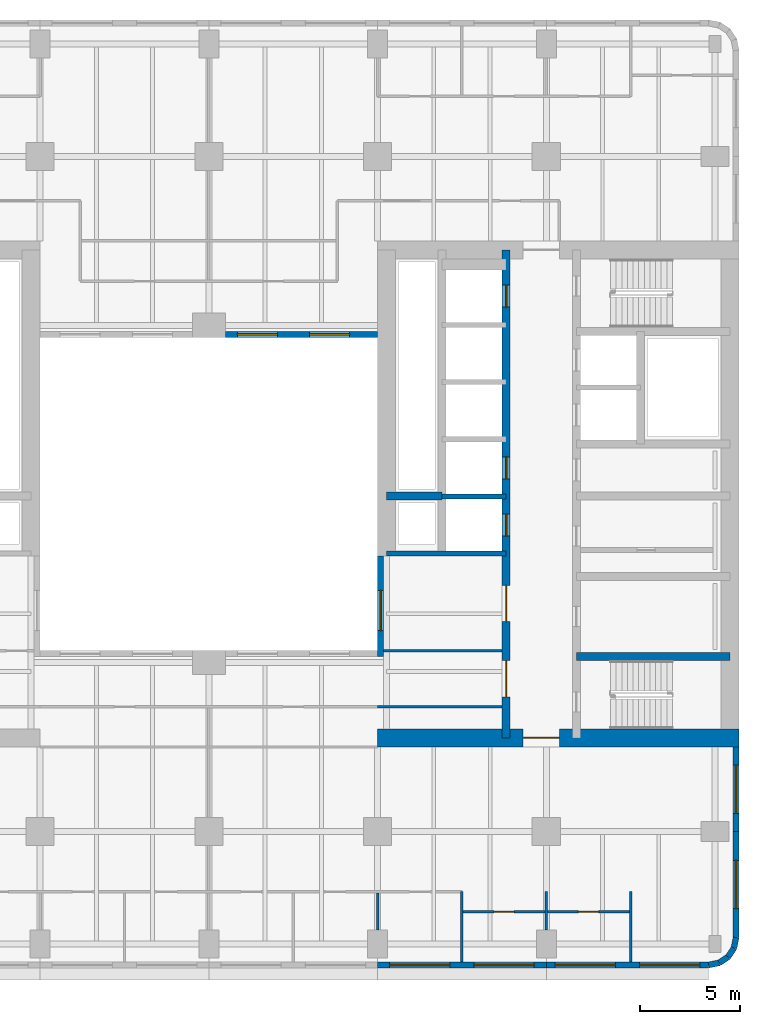
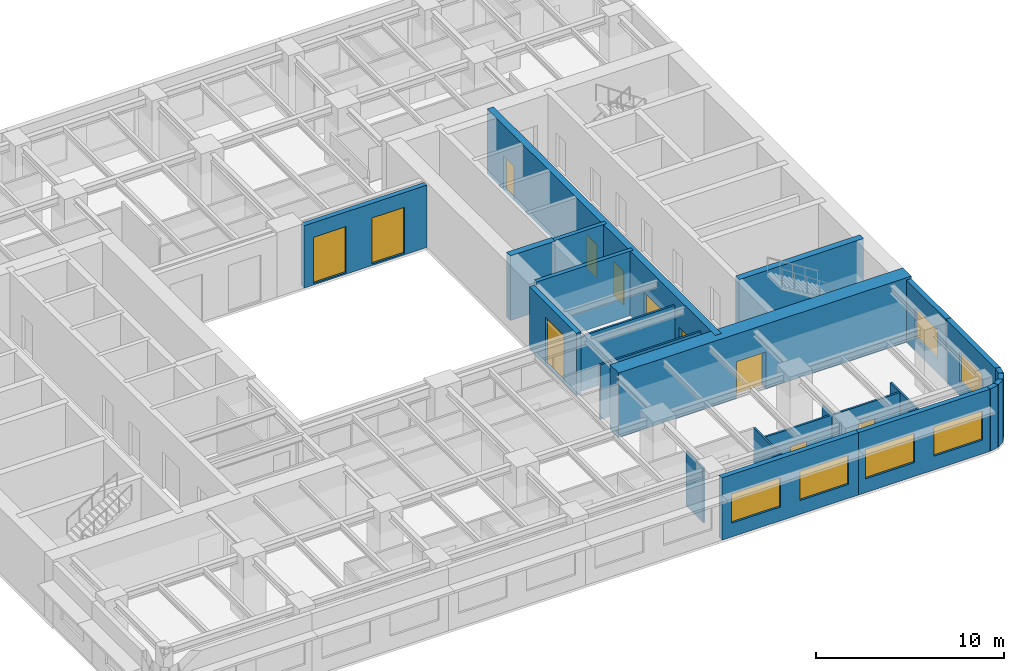
# One storey, part 5 of 11: 24 walls, 9 windows, 8 doors, 17 openings.
"""IFC4 building model written with IfcOpenShell, lengths in metres."""

from ifc_helpers import new_model, si_unit, direction, frame, frame_2d, origin, place, context, subcontext, project, spatial, rectangle, extrude, material, layer, layer_set, type_object, element, fill, save


model = new_model("IFC4")

# Units and contexts
model_context = context("Model", 3, precision=1e-05, world=origin(), true_north=direction((0.0, 1.0)))
body_context = subcontext(model_context, "Body", "Model", "MODEL_VIEW")
ifc_project = project(units=[si_unit("LENGTHUNIT", "METRE"), si_unit("AREAUNIT", "SQUARE_METRE"), si_unit("VOLUMEUNIT", "CUBIC_METRE"), si_unit("PLANEANGLEUNIT", "RADIAN"), si_unit("MASSUNIT", "GRAM", prefix="KILO")], contexts=[model_context])

# Site, building, storey
site_placement = place(None, origin())
site = spatial("IfcSite", under=ifc_project, at=site_placement, CompositionType="ELEMENT")
building_placement = place(site_placement, origin())
building = spatial("IfcBuilding", under=site, at=building_placement, Name="Claustro Exchange Tower", CompositionType="ELEMENT")
storey_placement = place(building_placement, frame((0.0, 0.0, 134.39990234375)))
storey = spatial("IfcBuildingStorey", under=building, at=storey_placement, Name="L30", CompositionType="ELEMENT", Elevation=134.39990234375)

# Wall
ifc_material_1 = material(Name="Laminated glass in aluminium frame", Category="aluminium")
ifc_layer_1 = layer(ifc_material_1, 0.1201171875)
ifc_layer_set_1 = layer_set([ifc_layer_1], Name="Laminated glass in aluminium frame")
wall_type_1 = type_object("IfcWallType", Name="P2 120 glazed partition", PredefinedType="PARTITIONING", material=ifc_layer_set_1)
wall_1_placement = place(storey_placement, frame((33.89794921875, 17.39990234375, 0.0), z_axis=(0.0, 0.0, 1.0), x_axis=(1.0, 0.0, 0.0)))
element("IfcWall", 1, at=wall_1_placement, inside=storey, type_object=wall_type_1, Name="Partition P2 L30", PredefinedType="PARTITIONING", context=body_context, shape_type="SweptSolid", body=[
    extrude(rectangle(XDim=5.904052734375, YDim=0.1201171875, at=frame_2d((2.9521484375, 0.0))), origin(), (0.0, 0.0, 1.0), 3.550048828125),
])

# Wall, opening, door
wall_2_placement = place(storey_placement, frame((37.85791015625, 4.39990234375, 0.0), z_axis=(0.0, 0.0, 1.0), x_axis=(1.0, 0.0, 0.0)))
wall_2 = element("IfcWall", 2, at=wall_2_placement, inside=storey, type_object=wall_type_1, Name="Partition P2 L30", PredefinedType="PARTITIONING", context=body_context, shape_type="SweptSolid", body=[
    extrude(rectangle(XDim=4.083984375, YDim=0.1201171875, at=frame_2d((2.0419921875, 0.0))), origin(), (0.0, 0.0, 1.0), 3.550048828125),
])
opening_1_placement = place(wall_2_placement, frame((1.5419921875, 0.0, 0.0)))
opening_1 = element("IfcOpeningElement", 3, at=opening_1_placement, cuts=wall_2, Name="Opening D7", PredefinedType="OPENING", context=body_context, shape_type="SweptSolid", body=[
    extrude(rectangle(XDim=1.0, YDim=2.39990234375, at=frame_2d((0.5, 1.199951171875))), frame((0.0, 0.070068359375, 0.0), z_axis=(0.0, -1.0, 0.0), x_axis=(1.0, 0.0, 0.0)), (0.0, 0.0, 1.0), 0.14013671875),
])
ifc_material_2 = material(Name="Glass door in aluminium frame", Category="aluminium")
door_type_1 = type_object("IfcDoorType", Name="D7 1000 x 2400 glazed door", OperationType="SINGLE_SWING_LEFT", PredefinedType="DOOR", material=ifc_material_2)
door_1_placement = place(opening_1_placement, frame((1.0, 0.0, 0.0), z_axis=(0.0, 0.0, 1.0), x_axis=(-1.0, 0.0, 0.0)))
door_1 = element("IfcDoor", 4, at=door_1_placement, inside=storey, type_object=door_type_1, Name="Door D7 L30", OperationType="SINGLE_SWING_RIGHT", OverallHeight=2.39990234375, OverallWidth=1.0, PredefinedType="DOOR", context=body_context, shape_type="SweptSolid", body=[
    extrude(rectangle(XDim=1.0, YDim=2.39990234375, at=frame_2d((0.5, 1.199951171875))), frame((0.0, 0.02490234375, 0.0), z_axis=(0.0, -1.0, 0.0), x_axis=(1.0, 0.0, 0.0)), (0.0, 0.0, 1.0), 0.050048828125),
])
fill(opening_1, door_1)

wall_3_placement = place(storey_placement, frame((42.05810546875, 4.39990234375, 0.0), z_axis=(0.0, 0.0, 1.0), x_axis=(1.0, 0.0, 0.0)))
wall_3 = element("IfcWall", 5, at=wall_3_placement, inside=storey, type_object=wall_type_1, Name="Partition P2 L30", PredefinedType="PARTITIONING", context=body_context, shape_type="SweptSolid", body=[
    extrude(rectangle(XDim=4.083984375, YDim=0.1201171875, at=frame_2d((2.0419921875, 0.0))), origin(), (0.0, 0.0, 1.0), 3.550048828125),
])
opening_2_placement = place(wall_3_placement, frame((1.5419921875, 0.0, 0.0)))
opening_2 = element("IfcOpeningElement", 6, at=opening_2_placement, cuts=wall_3, Name="Opening D7", PredefinedType="OPENING", context=body_context, shape_type="SweptSolid", body=[
    extrude(rectangle(XDim=1.0, YDim=2.39990234375, at=frame_2d((0.5, 1.199951171875))), frame((0.0, 0.070068359375, 0.0), z_axis=(0.0, -1.0, 0.0), x_axis=(1.0, 0.0, 0.0)), (0.0, 0.0, 1.0), 0.14013671875),
])
door_2_placement = place(opening_2_placement, frame((1.0, 0.0, 0.0), z_axis=(0.0, 0.0, 1.0), x_axis=(-1.0, 0.0, 0.0)))
door_2 = element("IfcDoor", 7, at=door_2_placement, inside=storey, type_object=door_type_1, Name="Door D7 L30", OperationType="SINGLE_SWING_RIGHT", OverallHeight=2.39990234375, OverallWidth=1.0, PredefinedType="DOOR", context=body_context, shape_type="SweptSolid", body=[
    extrude(rectangle(XDim=1.0, YDim=2.39990234375, at=frame_2d((0.5, 1.199951171875))), frame((0.0, 0.02490234375, 0.0), z_axis=(0.0, -1.0, 0.0), x_axis=(1.0, 0.0, 0.0)), (0.0, 0.0, 1.0), 0.050048828125),
])
fill(opening_2, door_2)

# Walls
wall_4_placement = place(storey_placement, frame((33.60009765625, 3.4990234375, 0.0), z_axis=(0.0, 0.0, 1.0), x_axis=(0.0, 1.0, 0.0)))
element("IfcWall", 8, at=wall_4_placement, inside=storey, type_object=wall_type_1, Name="Partition P2 L30", PredefinedType="PARTITIONING", context=body_context, shape_type="SweptSolid", body=[
    extrude(rectangle(XDim=1.843017578125, YDim=0.1201171875, at=frame_2d((0.92138671875, 0.0))), origin(), (0.0, 0.0, 1.0), 3.550048828125),
])
wall_5_placement = place(storey_placement, frame((37.800048828125, 1.89794921875, 0.0), z_axis=(0.0, 0.0, 1.0), x_axis=(0.0, 1.0, 0.0)))
element("IfcWall", 9, at=wall_5_placement, inside=storey, type_object=wall_type_1, Name="Partition P2 L30", PredefinedType="PARTITIONING", context=body_context, shape_type="SweptSolid", body=[
    extrude(rectangle(XDim=3.501953125, YDim=0.1201171875, at=frame_2d((1.7509765625, 0.0))), origin(), (0.0, 0.0, 1.0), 3.56005859375),
])
wall_6_placement = place(storey_placement, frame((42.0, 3.4990234375, 0.0), z_axis=(0.0, 0.0, 1.0), x_axis=(0.0, 1.0, 0.0)))
element("IfcWall", 10, at=wall_6_placement, inside=storey, type_object=wall_type_1, Name="Partition P2 L30", PredefinedType="PARTITIONING", context=body_context, shape_type="SweptSolid", body=[
    extrude(rectangle(XDim=1.90087890625, YDim=0.1201171875, at=frame_2d((0.950439453125, 0.0))), origin(), (0.0, 0.0, 1.0), 3.550048828125),
])
wall_7_placement = place(storey_placement, frame((46.199951171875, 1.89794921875, 0.0), z_axis=(0.0, 0.0, 1.0), x_axis=(0.0, 1.0, 0.0)))
element("IfcWall", 11, at=wall_7_placement, inside=storey, type_object=wall_type_1, Name="Partition P2 L30", PredefinedType="PARTITIONING", context=body_context, shape_type="SweptSolid", body=[
    extrude(rectangle(XDim=3.501953125, YDim=0.1201171875, at=frame_2d((1.7509765625, 0.0))), origin(), (0.0, 0.0, 1.0), 3.56005859375),
])
wall_8_placement = place(storey_placement, frame((33.597900390625, 14.60009765625, 0.0), z_axis=(0.0, 0.0, 1.0), x_axis=(1.0, 0.0, 0.0)))
element("IfcWall", 12, at=wall_8_placement, inside=storey, type_object=wall_type_1, Name="Partition P2 L30", PredefinedType="PARTITIONING", context=body_context, shape_type="SweptSolid", body=[
    extrude(rectangle(XDim=6.2041015625, YDim=0.1201171875, at=frame_2d((3.10205078125, 0.0))), origin(), (0.0, 0.0, 1.0), 3.550048828125),
])

# Wall, openings, windows
ifc_material_3 = material(Name="Concrete HA-40 (C40/50), precast, white cement, acid-etched", Category="concrete")
ifc_layer_2 = layer(ifc_material_3, 0.300048828125)
ifc_layer_set_2 = layer_set([ifc_layer_2], Name="Concrete HA-40 (C40/50), precast, white cement, acid-etched")
wall_type_2 = type_object("IfcWallType", Name="PC1 300 precast concrete pier panel", PredefinedType="SOLIDWALL", material=ifc_layer_set_2)
wall_9_placement = place(storey_placement, frame((50.085205078125, 1.75, 0.0), z_axis=(0.0, 0.0, 1.0), x_axis=(-1.0, 0.0, 0.0)))
wall_9 = element("IfcWall", 13, at=wall_9_placement, inside=storey, type_object=wall_type_2, Name="Precast pier panel PC1 L30", PredefinedType="SOLIDWALL", context=body_context, shape_type="SweptSolid", body=[
    extrude(rectangle(XDim=8.085205078125, YDim=0.300048828125, at=frame_2d((4.04248046875, 0.0))), origin(), (0.0, 0.0, 1.0), 4.050048828125),
])
opening_3_placement = place(wall_9_placement, frame((0.442626953125, 0.0, 0.89990234375)))
opening_3 = element("IfcOpeningElement", 14, at=opening_3_placement, cuts=wall_9, Name="Opening W1", PredefinedType="OPENING", context=body_context, shape_type="SweptSolid", body=[
    extrude(rectangle(XDim=3.0, YDim=1.89990234375, at=frame_2d((1.5, 0.949951171875))), frame((0.0, 0.159912109375, 0.0), z_axis=(0.0, -1.0, 0.0), x_axis=(1.0, 0.0, 0.0)), (0.0, 0.0, 1.0), 0.320068359375),
])
opening_4_placement = place(wall_9_placement, frame((4.642578125, 0.0, 0.89990234375)))
opening_4 = element("IfcOpeningElement", 15, at=opening_4_placement, cuts=wall_9, Name="Opening W1", PredefinedType="OPENING", context=body_context, shape_type="SweptSolid", body=[
    extrude(rectangle(XDim=3.0, YDim=1.89990234375, at=frame_2d((1.5, 0.949951171875))), frame((0.0, 0.159912109375, 0.0), z_axis=(0.0, -1.0, 0.0), x_axis=(1.0, 0.0, 0.0)), (0.0, 0.0, 1.0), 0.320068359375),
])
ifc_material_4 = material(Name="Aluminium frame, clear double glazing", Category="aluminium")
window_type_1 = type_object("IfcWindowType", Name="W1 3000 x 1900 window", PartitioningType="SINGLE_PANEL", PredefinedType="WINDOW", material=ifc_material_4)
window_1_placement = place(opening_3_placement, origin())
window_1 = element("IfcWindow", 16, at=window_1_placement, inside=storey, type_object=window_type_1, Name="Window W1 L30", OverallHeight=1.89990234375, OverallWidth=3.0, PartitioningType="SINGLE_PANEL", PredefinedType="WINDOW", context=body_context, shape_type="SweptSolid", body=[
    extrude(rectangle(XDim=3.0, YDim=1.89990234375, at=frame_2d((1.5, 0.949951171875))), frame((0.0, 0.030029296875, 0.0), z_axis=(0.0, -1.0, 0.0), x_axis=(1.0, 0.0, 0.0)), (0.0, 0.0, 1.0), 0.06005859375),
])
fill(opening_3, window_1)
window_2_placement = place(opening_4_placement, origin())
window_2 = element("IfcWindow", 17, at=window_2_placement, inside=storey, type_object=window_type_1, Name="Window W1 L30", OverallHeight=1.89990234375, OverallWidth=3.0, PartitioningType="SINGLE_PANEL", PredefinedType="WINDOW", context=body_context, shape_type="SweptSolid", body=[
    extrude(rectangle(XDim=3.0, YDim=1.89990234375, at=frame_2d((1.5, 0.949951171875))), frame((0.0, 0.030029296875, 0.0), z_axis=(0.0, -1.0, 0.0), x_axis=(1.0, 0.0, 0.0)), (0.0, 0.0, 1.0), 0.06005859375),
])
fill(opening_4, window_2)

wall_10_placement = place(storey_placement, frame((42.0, 1.75, 0.0), z_axis=(0.0, 0.0, 1.0), x_axis=(-1.0, 0.0, 0.0)))
wall_10 = element("IfcWall", 18, at=wall_10_placement, inside=storey, type_object=wall_type_2, Name="Precast pier panel PC1 L30", PredefinedType="SOLIDWALL", context=body_context, shape_type="SweptSolid", body=[
    extrude(rectangle(XDim=8.39990234375, YDim=0.300048828125, at=frame_2d((4.199951171875, 0.0))), origin(), (0.0, 0.0, 1.0), 4.050048828125),
])
opening_5_placement = place(wall_10_placement, frame((0.60009765625, 0.0, 0.89990234375)))
opening_5 = element("IfcOpeningElement", 19, at=opening_5_placement, cuts=wall_10, Name="Opening W1", PredefinedType="OPENING", context=body_context, shape_type="SweptSolid", body=[
    extrude(rectangle(XDim=3.0, YDim=1.89990234375, at=frame_2d((1.5, 0.949951171875))), frame((0.0, 0.159912109375, 0.0), z_axis=(0.0, -1.0, 0.0), x_axis=(1.0, 0.0, 0.0)), (0.0, 0.0, 1.0), 0.320068359375),
])
opening_6_placement = place(wall_10_placement, frame((4.800048828125, 0.0, 0.89990234375)))
opening_6 = element("IfcOpeningElement", 20, at=opening_6_placement, cuts=wall_10, Name="Opening W1", PredefinedType="OPENING", context=body_context, shape_type="SweptSolid", body=[
    extrude(rectangle(XDim=3.0, YDim=1.89990234375, at=frame_2d((1.5, 0.949951171875))), frame((0.0, 0.159912109375, 0.0), z_axis=(0.0, -1.0, 0.0), x_axis=(1.0, 0.0, 0.0)), (0.0, 0.0, 1.0), 0.320068359375),
])
window_3_placement = place(opening_5_placement, origin())
window_3 = element("IfcWindow", 21, at=window_3_placement, inside=storey, type_object=window_type_1, Name="Window W1 L30", OverallHeight=1.89990234375, OverallWidth=3.0, PartitioningType="SINGLE_PANEL", PredefinedType="WINDOW", context=body_context, shape_type="SweptSolid", body=[
    extrude(rectangle(XDim=3.0, YDim=1.89990234375, at=frame_2d((1.5, 0.949951171875))), frame((0.0, 0.030029296875, 0.0), z_axis=(0.0, -1.0, 0.0), x_axis=(1.0, 0.0, 0.0)), (0.0, 0.0, 1.0), 0.06005859375),
])
fill(opening_5, window_3)
window_4_placement = place(opening_6_placement, origin())
window_4 = element("IfcWindow", 22, at=window_4_placement, inside=storey, type_object=window_type_1, Name="Window W1 L30", OverallHeight=1.89990234375, OverallWidth=3.0, PartitioningType="SINGLE_PANEL", PredefinedType="WINDOW", context=body_context, shape_type="SweptSolid", body=[
    extrude(rectangle(XDim=3.0, YDim=1.89990234375, at=frame_2d((1.5, 0.949951171875))), frame((0.0, 0.030029296875, 0.0), z_axis=(0.0, -1.0, 0.0), x_axis=(1.0, 0.0, 0.0)), (0.0, 0.0, 1.0), 0.06005859375),
])
fill(opening_6, window_4)

# Wall, opening, window
wall_11_placement = place(storey_placement, frame((51.449951171875, 12.60009765625, 0.0), z_axis=(0.0, 0.0, 1.0), x_axis=(0.0, -1.0, 0.0)))
wall_11 = element("IfcWall", 23, at=wall_11_placement, inside=storey, type_object=wall_type_2, Name="Precast pier panel PC1 L30", PredefinedType="SOLIDWALL", context=body_context, shape_type="SweptSolid", body=[
    extrude(rectangle(XDim=4.2001953125, YDim=0.300048828125, at=frame_2d((2.10009765625, 0.0))), origin(), (0.0, 0.0, 1.0), 4.050048828125),
])
opening_7_placement = place(wall_11_placement, frame((0.89990234375, 0.0, 0.89990234375)))
opening_7 = element("IfcOpeningElement", 24, at=opening_7_placement, cuts=wall_11, Name="Opening W2", PredefinedType="OPENING", context=body_context, shape_type="SweptSolid", body=[
    extrude(rectangle(XDim=2.39990234375, YDim=1.89990234375, at=frame_2d((1.199951171875, 0.949951171875))), frame((0.0, 0.159912109375, 0.0), z_axis=(0.0, -1.0, 0.0), x_axis=(1.0, 0.0, 0.0)), (0.0, 0.0, 1.0), 0.320068359375),
])
ifc_material_5 = material(Name="Aluminium frame, clear double glazing", Category="aluminium")
window_type_2 = type_object("IfcWindowType", Name="W2 2400 x 1900 window", PartitioningType="SINGLE_PANEL", PredefinedType="WINDOW", material=ifc_material_5)
window_5_placement = place(opening_7_placement, origin())
window_5 = element("IfcWindow", 25, at=window_5_placement, inside=storey, type_object=window_type_2, Name="Window W2 L30", OverallHeight=1.89990234375, OverallWidth=2.39990234375, PartitioningType="SINGLE_PANEL", PredefinedType="WINDOW", context=body_context, shape_type="SweptSolid", body=[
    extrude(rectangle(XDim=2.39990234375, YDim=1.89990234375, at=frame_2d((1.199951171875, 0.949951171875))), frame((0.0, 0.030029296875, 0.0), z_axis=(0.0, -1.0, 0.0), x_axis=(1.0, 0.0, 0.0)), (0.0, 0.0, 1.0), 0.06005859375),
])
fill(opening_7, window_5)

wall_12_placement = place(storey_placement, frame((51.449951171875, 8.39990234375, 0.0), z_axis=(0.0, 0.0, 1.0), x_axis=(0.0, -1.0, 0.0)))
wall_12 = element("IfcWall", 26, at=wall_12_placement, inside=storey, type_object=wall_type_2, Name="Precast pier panel PC1 L30", PredefinedType="SOLIDWALL", context=body_context, shape_type="SweptSolid", body=[
    extrude(rectangle(XDim=5.28515625, YDim=0.300048828125, at=frame_2d((2.642578125, 0.0))), origin(), (0.0, 0.0, 1.0), 4.050048828125),
])
opening_8_placement = place(wall_12_placement, frame((1.442626953125, 0.0, 0.89990234375)))
opening_8 = element("IfcOpeningElement", 27, at=opening_8_placement, cuts=wall_12, Name="Opening W2", PredefinedType="OPENING", context=body_context, shape_type="SweptSolid", body=[
    extrude(rectangle(XDim=2.39990234375, YDim=1.89990234375, at=frame_2d((1.199951171875, 0.949951171875))), frame((0.0, 0.159912109375, 0.0), z_axis=(0.0, -1.0, 0.0), x_axis=(1.0, 0.0, 0.0)), (0.0, 0.0, 1.0), 0.320068359375),
])
window_6_placement = place(opening_8_placement, origin())
window_6 = element("IfcWindow", 28, at=window_6_placement, inside=storey, type_object=window_type_2, Name="Window W2 L30", OverallHeight=1.89990234375, OverallWidth=2.39990234375, PartitioningType="SINGLE_PANEL", PredefinedType="WINDOW", context=body_context, shape_type="SweptSolid", body=[
    extrude(rectangle(XDim=2.39990234375, YDim=1.89990234375, at=frame_2d((1.199951171875, 0.949951171875))), frame((0.0, 0.030029296875, 0.0), z_axis=(0.0, -1.0, 0.0), x_axis=(1.0, 0.0, 0.0)), (0.0, 0.0, 1.0), 0.06005859375),
])
fill(opening_8, window_6)

# Walls
wall_13_placement = place(storey_placement, frame((51.449951171875, 3.11474609375, 0.0), z_axis=(0.0, 0.0, 1.0), x_axis=(-0.195073962632, -0.980788534345, 0.0)))
element("IfcWall", 29, at=wall_13_placement, inside=storey, type_object=wall_type_2, Name="Precast pier panel PC1 L30", PredefinedType="SOLIDWALL", context=body_context, shape_type="SweptSolid", body=[
    extrude(rectangle(XDim=0.540771484375, YDim=0.300048828125, at=frame_2d((0.2705078125, 0.0))), origin(), (0.0, 0.0, 1.0), 4.050048828125),
])
for number, where, z_axis, x_axis, name in (
    (30, (51.344482421875, 2.58447265625, 0.0), (0.0, 0.0, 1.0), (-0.555557463938, -0.831478144188, 0.0), "Precast pier panel PC1 L30"),
    (31, (51.052490234375, 2.1474609375, 0.0), (0.0, 0.0, 1.0), (-0.831478144188, -0.555557463938, 0.0), "Precast pier panel PC1 L30"),
):
    element("IfcWall", number, at=place(storey_placement, frame(where, z_axis=z_axis, x_axis=x_axis)), inside=storey, type_object=wall_type_2, Name=name, PredefinedType="SOLIDWALL", context=body_context, shape_type="SweptSolid", body=[
        extrude(rectangle(XDim=0.525634765625, YDim=0.300048828125, at=frame_2d((0.2626953125, 0.0))), origin(), (0.0, 0.0, 1.0), 4.050048828125),
    ])
wall_14_placement = place(storey_placement, frame((50.615478515625, 1.85546875, 0.0), z_axis=(0.0, 0.0, 1.0), x_axis=(-0.980788534345, -0.195073962632, 0.0)))
element("IfcWall", 32, at=wall_14_placement, inside=storey, type_object=wall_type_2, Name="Precast pier panel PC1 L30", PredefinedType="SOLIDWALL", context=body_context, shape_type="SweptSolid", body=[
    extrude(rectangle(XDim=0.540771484375, YDim=0.300048828125, at=frame_2d((0.2705078125, 0.0))), origin(), (0.0, 0.0, 1.0), 4.050048828125),
])

# Wall, opening, window
wall_15_placement = place(storey_placement, frame((33.75, 17.10009765625, 0.0), z_axis=(0.0, 0.0, 1.0), x_axis=(0.0, 1.0, 0.0)))
wall_15 = element("IfcWall", 33, at=wall_15_placement, inside=storey, type_object=wall_type_2, Name="Precast pier panel PC1 L30", PredefinedType="SOLIDWALL", context=body_context, shape_type="SweptSolid", body=[
    extrude(rectangle(XDim=5.0, YDim=0.300048828125, at=frame_2d((2.5, 0.0))), origin(), (0.0, 0.0, 1.0), 4.050048828125),
])
opening_9_placement = place(wall_15_placement, frame((1.300048828125, 0.0, 0.10009765625)))
opening_9 = element("IfcOpeningElement", 34, at=opening_9_placement, cuts=wall_15, Name="Opening W-A", PredefinedType="OPENING", context=body_context, shape_type="SweptSolid", body=[
    extrude(rectangle(XDim=2.0, YDim=3.0, at=frame_2d((1.0, 1.5))), frame((0.0, 0.159912109375, 0.0), z_axis=(0.0, -1.0, 0.0), x_axis=(1.0, 0.0, 0.0)), (0.0, 0.0, 1.0), 0.320068359375),
])
ifc_material_6 = material(Name="Aluminium frame, clear double glazing", Category="aluminium")
window_type_3 = type_object("IfcWindowType", Name="W-A 2000 x 3000 arcade window", PartitioningType="SINGLE_PANEL", PredefinedType="WINDOW", material=ifc_material_6)
window_7_placement = place(opening_9_placement, origin())
window_7 = element("IfcWindow", 35, at=window_7_placement, inside=storey, type_object=window_type_3, Name="Window W-A L30", OverallHeight=3.0, OverallWidth=2.0, PartitioningType="SINGLE_PANEL", PredefinedType="WINDOW", context=body_context, shape_type="SweptSolid", body=[
    extrude(rectangle(XDim=2.0, YDim=3.0, at=frame_2d((1.0, 1.5))), frame((0.0, 0.030029296875, 0.0), z_axis=(0.0, -1.0, 0.0), x_axis=(1.0, 0.0, 0.0)), (0.0, 0.0, 1.0), 0.06005859375),
])
fill(opening_9, window_7)

# Wall, openings, windows
wall_16_placement = place(storey_placement, frame((26.02490234375, 33.14990234375, 0.0), z_axis=(0.0, 0.0, 1.0), x_axis=(1.0, 0.0, 0.0)))
wall_16 = element("IfcWall", 36, at=wall_16_placement, inside=storey, type_object=wall_type_2, Name="Precast pier panel PC1 L30", PredefinedType="SOLIDWALL", context=body_context, shape_type="SweptSolid", body=[
    extrude(rectangle(XDim=7.5751953125, YDim=0.300048828125, at=frame_2d((3.78759765625, 0.0))), origin(), (0.0, 0.0, 1.0), 4.050048828125),
])
opening_10_placement = place(wall_16_placement, frame((0.58740234375, 0.0, 0.10009765625)))
opening_10 = element("IfcOpeningElement", 37, at=opening_10_placement, cuts=wall_16, Name="Opening W-A", PredefinedType="OPENING", context=body_context, shape_type="SweptSolid", body=[
    extrude(rectangle(XDim=2.0, YDim=3.0, at=frame_2d((1.0, 1.5))), frame((0.0, 0.159912109375, 0.0), z_axis=(0.0, -1.0, 0.0), x_axis=(1.0, 0.0, 0.0)), (0.0, 0.0, 1.0), 0.320068359375),
])
opening_11_placement = place(wall_16_placement, frame((4.1875, 0.0, 0.10009765625)))
opening_11 = element("IfcOpeningElement", 38, at=opening_11_placement, cuts=wall_16, Name="Opening W-A", PredefinedType="OPENING", context=body_context, shape_type="SweptSolid", body=[
    extrude(rectangle(XDim=2.0, YDim=3.0, at=frame_2d((1.0, 1.5))), frame((0.0, 0.159912109375, 0.0), z_axis=(0.0, -1.0, 0.0), x_axis=(1.0, 0.0, 0.0)), (0.0, 0.0, 1.0), 0.320068359375),
])
window_8_placement = place(opening_10_placement, origin())
window_8 = element("IfcWindow", 39, at=window_8_placement, inside=storey, type_object=window_type_3, Name="Window W-A L30", OverallHeight=3.0, OverallWidth=2.0, PartitioningType="SINGLE_PANEL", PredefinedType="WINDOW", context=body_context, shape_type="SweptSolid", body=[
    extrude(rectangle(XDim=2.0, YDim=3.0, at=frame_2d((1.0, 1.5))), frame((0.0, 0.030029296875, 0.0), z_axis=(0.0, -1.0, 0.0), x_axis=(1.0, 0.0, 0.0)), (0.0, 0.0, 1.0), 0.06005859375),
])
fill(opening_10, window_8)
window_9_placement = place(opening_11_placement, origin())
window_9 = element("IfcWindow", 40, at=window_9_placement, inside=storey, type_object=window_type_3, Name="Window W-A L30", OverallHeight=3.0, OverallWidth=2.0, PartitioningType="SINGLE_PANEL", PredefinedType="WINDOW", context=body_context, shape_type="SweptSolid", body=[
    extrude(rectangle(XDim=2.0, YDim=3.0, at=frame_2d((1.0, 1.5))), frame((0.0, 0.030029296875, 0.0), z_axis=(0.0, -1.0, 0.0), x_axis=(1.0, 0.0, 0.0)), (0.0, 0.0, 1.0), 0.06005859375),
])
fill(opening_11, window_9)

# Wall, opening, door
ifc_material_7 = material(Name="Concrete HA-70 (C70/85)", Category="concrete")
ifc_layer_3 = layer(ifc_material_7, 0.89990234375)
ifc_layer_set_3 = layer_set([ifc_layer_3], Name="Concrete HA-70 (C70/85)")
wall_type_3 = type_object("IfcWallType", Name="SW1 900 core shear wall", PredefinedType="SHEAR", material=ifc_layer_set_3)
wall_17_placement = place(storey_placement, frame((33.60009765625, 13.050048828125, 0.0), z_axis=(0.0, 0.0, 1.0), x_axis=(1.0, 0.0, 0.0)))
wall_17 = element("IfcWall", 41, at=wall_17_placement, inside=storey, type_object=wall_type_3, Name="Core wall SW1 E core S face L30", PredefinedType="SHEAR", context=body_context, shape_type="SweptSolid", body=[
    extrude(rectangle(XDim=18.0, YDim=0.89990234375, at=frame_2d((9.0, 0.0))), origin(), (0.0, 0.0, 1.0), 4.2001953125),
])
opening_12_placement = place(wall_17_placement, frame((7.25, 0.0, 0.0)))
opening_12 = element("IfcOpeningElement", 42, at=opening_12_placement, cuts=wall_17, Name="Opening D3", PredefinedType="OPENING", context=body_context, shape_type="SweptSolid", body=[
    extrude(rectangle(XDim=1.800048828125, YDim=2.39990234375, at=frame_2d((0.89990234375, 1.199951171875))), frame((0.0, 0.4599609375, 0.0), z_axis=(0.0, -1.0, 0.0), x_axis=(1.0, 0.0, 0.0)), (0.0, 0.0, 1.0), 0.919921875),
])
ifc_material_8 = material(Name="Steel fire door, painted", Category="steel")
door_type_2 = type_object("IfcDoorType", Name="D3 1800 x 2400 fire-rated lobby double door", OperationType="DOUBLE_DOOR_SINGLE_SWING", PredefinedType="DOOR", material=ifc_material_8)
door_3_placement = place(opening_12_placement, frame((1.800048828125, 0.0, 0.0), z_axis=(0.0, 0.0, 1.0), x_axis=(-1.0, 0.0, 0.0)))
door_3 = element("IfcDoor", 43, at=door_3_placement, inside=storey, type_object=door_type_2, Name="Lift lobby door D3 L30", OperationType="DOUBLE_DOOR_SINGLE_SWING", OverallHeight=2.39990234375, OverallWidth=1.800048828125, PredefinedType="DOOR", context=body_context, shape_type="SweptSolid", body=[
    extrude(rectangle(XDim=1.800048828125, YDim=2.39990234375, at=frame_2d((0.89990234375, 1.199951171875))), frame((0.0, 0.02490234375, 0.0), z_axis=(0.0, -1.0, 0.0), x_axis=(1.0, 0.0, 0.0)), (0.0, 0.0, 1.0), 0.050048828125),
])
fill(opening_12, door_3)

# Wall, openings, doors
ifc_material_9 = material(Name="Concrete HA-50 (C50/60)", Category="concrete")
ifc_layer_4 = layer(ifc_material_9, 0.39990234375)
ifc_layer_set_4 = layer_set([ifc_layer_4], Name="Concrete HA-50 (C50/60)")
wall_type_4 = type_object("IfcWallType", Name="SW4 400 internal core wall", PredefinedType="SHEAR", material=ifc_layer_set_4)
wall_18_placement = place(storey_placement, frame((40.0, 13.050048828125, 0.0), z_axis=(0.0, 0.0, 1.0), x_axis=(0.0, 1.0, 0.0)))
wall_18 = element("IfcWall", 44, at=wall_18_placement, inside=storey, type_object=wall_type_4, Name="Internal core wall SW4 E core L30", PredefinedType="SHEAR", context=body_context, shape_type="SweptSolid", body=[
    extrude(rectangle(XDim=24.300048828125, YDim=0.39990234375, at=frame_2d((12.14990234375, 0.0))), origin(), (0.0, 0.0, 1.0), 4.2001953125),
])
opening_13_placement = place(wall_18_placement, frame((10.050048828125, 0.0, 0.0)))
opening_13 = element("IfcOpeningElement", 45, at=opening_13_placement, cuts=wall_18, Name="Opening LD", PredefinedType="OPENING", context=body_context, shape_type="SweptSolid", body=[
    extrude(rectangle(XDim=1.10009765625, YDim=2.199951171875, at=frame_2d((0.550048828125, 1.10009765625))), frame((0.0, 0.2099609375, 0.0), z_axis=(0.0, -1.0, 0.0), x_axis=(1.0, 0.0, 0.0)), (0.0, 0.0, 1.0), 0.419921875),
])
opening_14_placement = place(wall_18_placement, frame((12.89990234375, 0.0, 0.0)))
opening_14 = element("IfcOpeningElement", 46, at=opening_14_placement, cuts=wall_18, Name="Opening LD", PredefinedType="OPENING", context=body_context, shape_type="SweptSolid", body=[
    extrude(rectangle(XDim=1.10009765625, YDim=2.199951171875, at=frame_2d((0.550048828125, 1.10009765625))), frame((0.0, 0.2099609375, 0.0), z_axis=(0.0, -1.0, 0.0), x_axis=(1.0, 0.0, 0.0)), (0.0, 0.0, 1.0), 0.419921875),
])
opening_15_placement = place(wall_18_placement, frame((21.449951171875, 0.0, 0.0)))
opening_15 = element("IfcOpeningElement", 47, at=opening_15_placement, cuts=wall_18, Name="Opening LD", PredefinedType="OPENING", context=body_context, shape_type="SweptSolid", body=[
    extrude(rectangle(XDim=1.10009765625, YDim=2.199951171875, at=frame_2d((0.550048828125, 1.10009765625))), frame((0.0, 0.2099609375, 0.0), z_axis=(0.0, -1.0, 0.0), x_axis=(1.0, 0.0, 0.0)), (0.0, 0.0, 1.0), 0.419921875),
])
opening_16_placement = place(wall_18_placement, frame((2.050048828125, 0.0, 0.0)))
opening_16 = element("IfcOpeningElement", 48, at=opening_16_placement, cuts=wall_18, Name="Opening D3", PredefinedType="OPENING", context=body_context, shape_type="SweptSolid", body=[
    extrude(rectangle(XDim=1.800048828125, YDim=2.39990234375, at=frame_2d((0.89990234375, 1.199951171875))), frame((0.0, 0.2099609375, 0.0), z_axis=(0.0, -1.0, 0.0), x_axis=(1.0, 0.0, 0.0)), (0.0, 0.0, 1.0), 0.419921875),
])
opening_17_placement = place(wall_18_placement, frame((5.800048828125, 0.0, 0.0)))
opening_17 = element("IfcOpeningElement", 49, at=opening_17_placement, cuts=wall_18, Name="Opening D3", PredefinedType="OPENING", context=body_context, shape_type="SweptSolid", body=[
    extrude(rectangle(XDim=1.800048828125, YDim=2.39990234375, at=frame_2d((0.89990234375, 1.199951171875))), frame((0.0, 0.2099609375, 0.0), z_axis=(0.0, -1.0, 0.0), x_axis=(1.0, 0.0, 0.0)), (0.0, 0.0, 1.0), 0.419921875),
])
door_4_placement = place(opening_16_placement, frame((1.800048828125, 0.0, 0.0), z_axis=(0.0, 0.0, 1.0), x_axis=(-1.0, 0.0, 0.0)))
door_4 = element("IfcDoor", 50, at=door_4_placement, inside=storey, type_object=door_type_2, Name="Core zone door D3 L30", OperationType="DOUBLE_DOOR_SINGLE_SWING", OverallHeight=2.39990234375, OverallWidth=1.800048828125, PredefinedType="DOOR", context=body_context, shape_type="SweptSolid", body=[
    extrude(rectangle(XDim=1.800048828125, YDim=2.39990234375, at=frame_2d((0.89990234375, 1.199951171875))), frame((0.0, 0.02490234375, 0.0), z_axis=(0.0, -1.0, 0.0), x_axis=(1.0, 0.0, 0.0)), (0.0, 0.0, 1.0), 0.050048828125),
])
fill(opening_16, door_4)
door_5_placement = place(opening_17_placement, origin())
door_5 = element("IfcDoor", 51, at=door_5_placement, inside=storey, type_object=door_type_2, Name="Core zone door D3 L30", OperationType="DOUBLE_DOOR_SINGLE_SWING", OverallHeight=2.39990234375, OverallWidth=1.800048828125, PredefinedType="DOOR", context=body_context, shape_type="SweptSolid", body=[
    extrude(rectangle(XDim=1.800048828125, YDim=2.39990234375, at=frame_2d((0.89990234375, 1.199951171875))), frame((0.0, 0.02490234375, 0.0), z_axis=(0.0, -1.0, 0.0), x_axis=(1.0, 0.0, 0.0)), (0.0, 0.0, 1.0), 0.050048828125),
])
fill(opening_17, door_5)
ifc_material_10 = material(Name="Stainless steel sliding door", Category="steel")
door_type_3 = type_object("IfcDoorType", Name="LD 1100 x 2200 lift landing door", OperationType="DOUBLE_DOOR_SLIDING", PredefinedType="DOOR", material=ifc_material_10)
door_6_placement = place(opening_13_placement, origin())
door_6 = element("IfcDoor", 52, at=door_6_placement, inside=storey, type_object=door_type_3, Name="Lift landing door LME1 LD L30", OperationType="DOUBLE_DOOR_SLIDING", OverallHeight=2.199951171875, OverallWidth=1.10009765625, PredefinedType="DOOR", context=body_context, shape_type="SweptSolid", body=[
    extrude(rectangle(XDim=1.10009765625, YDim=2.199951171875, at=frame_2d((0.550048828125, 1.10009765625))), frame((0.0, 0.02490234375, 0.0), z_axis=(0.0, -1.0, 0.0), x_axis=(1.0, 0.0, 0.0)), (0.0, 0.0, 1.0), 0.050048828125),
])
fill(opening_13, door_6)
door_7_placement = place(opening_14_placement, origin())
door_7 = element("IfcDoor", 53, at=door_7_placement, inside=storey, type_object=door_type_3, Name="Lift landing door LME2 LD L30", OperationType="DOUBLE_DOOR_SLIDING", OverallHeight=2.199951171875, OverallWidth=1.10009765625, PredefinedType="DOOR", context=body_context, shape_type="SweptSolid", body=[
    extrude(rectangle(XDim=1.10009765625, YDim=2.199951171875, at=frame_2d((0.550048828125, 1.10009765625))), frame((0.0, 0.02490234375, 0.0), z_axis=(0.0, -1.0, 0.0), x_axis=(1.0, 0.0, 0.0)), (0.0, 0.0, 1.0), 0.050048828125),
])
fill(opening_14, door_7)
door_8_placement = place(opening_15_placement, origin())
door_8 = element("IfcDoor", 54, at=door_8_placement, inside=storey, type_object=door_type_3, Name="Lift landing door LSE1 LD L30", OperationType="DOUBLE_DOOR_SLIDING", OverallHeight=2.199951171875, OverallWidth=1.10009765625, PredefinedType="DOOR", context=body_context, shape_type="SweptSolid", body=[
    extrude(rectangle(XDim=1.10009765625, YDim=2.199951171875, at=frame_2d((0.550048828125, 1.10009765625))), frame((0.0, 0.02490234375, 0.0), z_axis=(0.0, -1.0, 0.0), x_axis=(1.0, 0.0, 0.0)), (0.0, 0.0, 1.0), 0.050048828125),
])
fill(opening_15, door_8)

# Walls
wall_19_placement = place(storey_placement, frame((51.14990234375, 17.10009765625, 0.0), z_axis=(0.0, 0.0, 1.0), x_axis=(-1.0, 0.0, 0.0)))
element("IfcWall", 55, at=wall_19_placement, inside=storey, type_object=wall_type_4, Name="Internal core wall SW4 E core L30", PredefinedType="SHEAR", context=body_context, shape_type="SweptSolid", body=[
    extrude(rectangle(XDim=7.64990234375, YDim=0.39990234375, at=frame_2d((3.824951171875, 0.0))), origin(), (0.0, 0.0, 1.0), 4.2001953125),
])
wall_20_placement = place(storey_placement, frame((36.800048828125, 25.10009765625, 0.0), z_axis=(0.0, 0.0, 1.0), x_axis=(-1.0, 0.0, 0.0)))
element("IfcWall", 56, at=wall_20_placement, inside=storey, type_object=wall_type_4, Name="Internal core wall SW4 E core L30", PredefinedType="SHEAR", context=body_context, shape_type="SweptSolid", body=[
    extrude(rectangle(XDim=2.75, YDim=0.39990234375, at=frame_2d((1.375, 0.0))), origin(), (0.0, 0.0, 1.0), 4.2001953125),
])
ifc_material_11 = material(Name="Concrete HA-50 (C50/60)", Category="concrete")
ifc_layer_5 = layer(ifc_material_11, 0.25)
ifc_layer_set_5 = layer_set([ifc_layer_5], Name="Concrete HA-50 (C50/60)")
wall_type_5 = type_object("IfcWallType", Name="SW5 250 lift shaft divider wall", PredefinedType="SHEAR", material=ifc_layer_set_5)
wall_21_placement = place(storey_placement, frame((40.0, 22.22509765625, 0.0), z_axis=(0.0, 0.0, 1.0), x_axis=(-1.0, 0.0, 0.0)))
element("IfcWall", 57, at=wall_21_placement, inside=storey, type_object=wall_type_5, Name="Core step wall E core L30", PredefinedType="SHEAR", context=body_context, shape_type="SweptSolid", body=[
    extrude(rectangle(XDim=5.949951171875, YDim=0.25, at=frame_2d((2.97509765625, 0.0))), origin(), (0.0, 0.0, 1.0), 4.2001953125),
])
wall_22_placement = place(storey_placement, frame((40.0, 25.074951171875, 0.0), z_axis=(0.0, 0.0, 1.0), x_axis=(-1.0, 0.0, 0.0)))
element("IfcWall", 58, at=wall_22_placement, inside=storey, type_object=wall_type_5, Name="Lift shaft wall E core L30", PredefinedType="SHEAR", context=body_context, shape_type="SweptSolid", body=[
    extrude(rectangle(XDim=3.199951171875, YDim=0.25, at=frame_2d((1.60009765625, 0.0))), origin(), (0.0, 0.0, 1.0), 4.2001953125),
])

save(model, "model.ifc")
